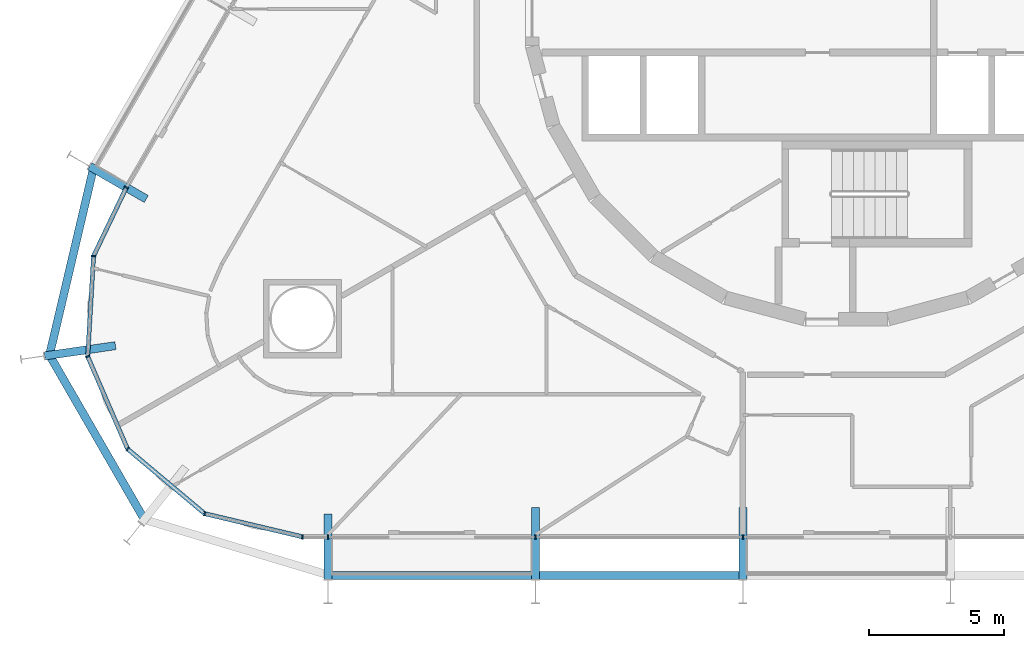
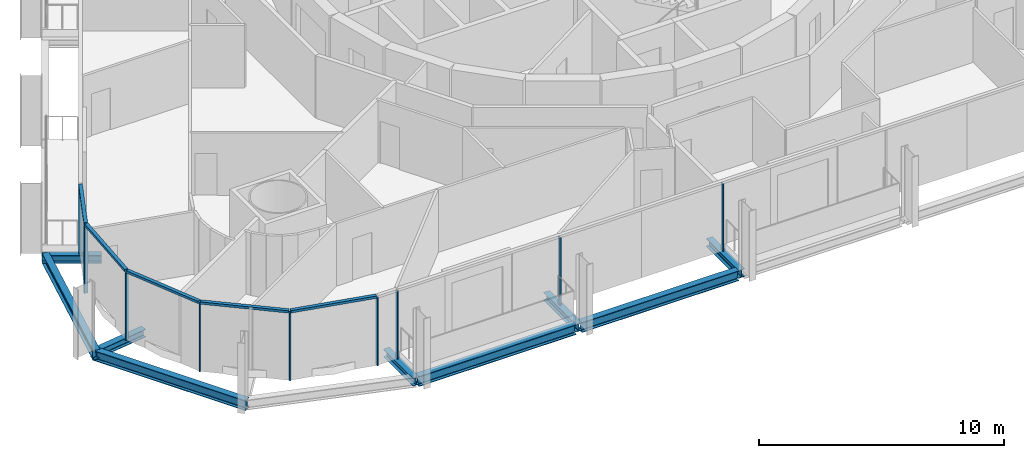
# One storey, part 3 of 21: 14 members, 9 beams, 2 elements without a shape of their own.
"""IFC4 building model written with IfcOpenShell, lengths in metres."""

from ifc_helpers import new_model, si_unit, direction, frame, origin, origin_2d, place, context, subcontext, project, spatial, rectangle, i_section, extrude, material, layer, layer_set, material_profile, profile_set, type_object, element, aggregate, save


model = new_model("IFC4")

# Units and contexts
model_context = context("Model", 3, precision=1e-05, world=origin(), true_north=direction((0.0, 1.0)))
body_context = subcontext(model_context, "Body", "Model", "MODEL_VIEW")
ifc_project = project(units=[si_unit("LENGTHUNIT", "METRE"), si_unit("AREAUNIT", "SQUARE_METRE"), si_unit("VOLUMEUNIT", "CUBIC_METRE"), si_unit("PLANEANGLEUNIT", "RADIAN"), si_unit("MASSUNIT", "GRAM", prefix="KILO")], contexts=[model_context])

# Site, building, storey
site_placement = place(None, origin())
site = spatial("IfcSite", under=ifc_project, at=site_placement, CompositionType="ELEMENT")
building_placement = place(site_placement, origin())
building = spatial("IfcBuilding", under=site, at=building_placement, Name="Spindle Arch Residences", CompositionType="ELEMENT")
storey_placement = place(building_placement, frame((0.0, 0.0, 55.89990234375)))
storey = spatial("IfcBuildingStorey", under=building, at=storey_placement, Name="L12", CompositionType="ELEMENT", Elevation=55.89990234375)

# Curtain wall, members
ifc_material_1 = material(Name="Aluminium bronze unitised frame with tinted glass", Category="aluminium")
ifc_layer_1 = layer(ifc_material_1, 0.159912109375)
ifc_layer_set_1 = layer_set([ifc_layer_1], Name="CW-D corner wall on the fillet arcs")
curtain_wall_type_1 = type_object("IfcCurtainWallType", Name="CW-D corner wall on the fillet arcs", PredefinedType="NOTDEFINED", material=ifc_layer_set_1)
curtain_wall_1_placement = place(storey_placement, origin())
curtain_wall_1 = element("IfcCurtainWall", 1, at=curtain_wall_1_placement, inside=storey, type_object=curtain_wall_type_1, Name="CW-D L12 run 5", PredefinedType="NOTDEFINED")
ifc_material_2 = material(Name="Aluminium bronze anodised mullion", Category="aluminium")
ifc_material_profile_1 = material_profile(ifc_material_2, rectangle(XDim=0.159912109375, YDim=0.06005859375, at=origin_2d()), Name="MU 60x160")
ifc_profile_set_1 = profile_set([ifc_material_profile_1], Name="Aluminium bronze anodised mullion")
member_type_1 = type_object("IfcMemberType", Name="Bronze mullion 60x160", PredefinedType="MULLION", material=ifc_profile_set_1)
member_1_placement = place(storey_placement, frame((-26.66943359375, -6.77294921875, -0.3798828125), z_axis=(0.0, 0.0, 1.0), x_axis=(0.902111889092, -0.431502189519, 0.0)))
member_1 = element("IfcMember", 2, at=member_1_placement, type_object=member_type_1, Name="CW-D mullion 00", PredefinedType="MULLION", context=body_context, shape_type="SweptSolid", body=[
    extrude(rectangle(XDim=0.159912109375, YDim=0.06005859375, at=origin_2d()), origin(), (0.0, 0.0, 1.0), 3.3798828125),
])
member_2_placement = place(storey_placement, frame((-27.884033203125, -9.3125, -0.3798828125), z_axis=(0.0, 0.0, 1.0), x_axis=(0.99830815821, -0.058144829968, 0.0)))
member_2 = element("IfcMember", 3, at=member_2_placement, type_object=member_type_1, Name="CW-D mullion 01", PredefinedType="MULLION", context=body_context, shape_type="SweptSolid", body=[
    extrude(rectangle(XDim=0.159912109375, YDim=0.06005859375, at=origin_2d()), origin(), (0.0, 0.0, 1.0), 3.3798828125),
])
member_3_placement = place(storey_placement, frame((-28.100830078125, -13.032958984375, -0.3798828125), z_axis=(0.0, 0.0, 1.0), x_axis=(0.918216106599, 0.396079766691, 0.0)))
member_3 = element("IfcMember", 4, at=member_3_placement, type_object=member_type_1, Name="CW-D mullion 02", PredefinedType="MULLION", context=body_context, shape_type="SweptSolid", body=[
    extrude(rectangle(XDim=0.159912109375, YDim=0.06005859375, at=origin_2d()), origin(), (0.0, 0.0, 1.0), 3.3798828125),
])
member_4_placement = place(storey_placement, frame((-26.624755859375, -16.454833984375, -0.3798828125), z_axis=(0.0, 0.0, 1.0), x_axis=(0.64278760716, 0.766044445239, 0.0)))
member_4 = element("IfcMember", 5, at=member_4_placement, type_object=member_type_1, Name="CW-D mullion 03", PredefinedType="MULLION", context=body_context, shape_type="SweptSolid", body=[
    extrude(rectangle(XDim=0.159912109375, YDim=0.06005859375, at=origin_2d()), origin(), (0.0, 0.0, 1.0), 3.3798828125),
])
member_5_placement = place(storey_placement, frame((-23.769775390625, -18.850341796875, -0.3798828125), z_axis=(0.0, 0.0, 1.0), x_axis=(0.230615868852, 0.973044871028, 0.0)))
member_5 = element("IfcMember", 6, at=member_5_placement, type_object=member_type_1, Name="CW-D mullion 04", PredefinedType="MULLION", context=body_context, shape_type="SweptSolid", body=[
    extrude(rectangle(XDim=0.159912109375, YDim=0.06005859375, at=origin_2d()), origin(), (0.0, 0.0, 1.0), 3.3798828125),
])
member_6_placement = place(storey_placement, frame((-20.1435546875, -19.7099609375, -0.3798828125), z_axis=(0.0, 0.0, 1.0), x_axis=(0.0, 1.0, 0.0)))
member_6 = element("IfcMember", 7, at=member_6_placement, type_object=member_type_1, Name="CW-D mullion 05", PredefinedType="MULLION", context=body_context, shape_type="SweptSolid", body=[
    extrude(rectangle(XDim=0.159912109375, YDim=0.06005859375, at=origin_2d()), origin(), (0.0, 0.0, 1.0), 3.3798828125),
])

ifc_material_3 = material(Name="Aluminium bronze unitised frame with tinted glass", Category="aluminium")
ifc_layer_2 = layer(ifc_material_3, 0.159912109375)
ifc_layer_set_2 = layer_set([ifc_layer_2], Name="CW-C typical residential unitised wall")
curtain_wall_type_2 = type_object("IfcCurtainWallType", Name="CW-C typical residential unitised wall", PredefinedType="NOTDEFINED", material=ifc_layer_set_2)
curtain_wall_2_placement = place(storey_placement, origin())
curtain_wall_2 = element("IfcCurtainWall", 8, at=curtain_wall_2_placement, inside=storey, type_object=curtain_wall_type_2, Name="CW-C L12 run 6", PredefinedType="NOTDEFINED")
member_7_placement = place(storey_placement, frame((-19.2001953125, -19.7099609375, -0.3798828125), z_axis=(0.0, 0.0, 1.0), x_axis=(0.0, 1.0, 0.0)))
member_7 = element("IfcMember", 9, at=member_7_placement, type_object=member_type_1, Name="CW-C mullion 21", PredefinedType="MULLION", context=body_context, shape_type="SweptSolid", body=[
    extrude(rectangle(XDim=0.159912109375, YDim=0.06005859375, at=origin_2d()), origin(), (0.0, 0.0, 1.0), 3.3798828125),
])
member_8_placement = place(storey_placement, frame((-11.52001953125, -19.7099609375, -0.3798828125), z_axis=(0.0, 0.0, 1.0), x_axis=(0.0, 1.0, 0.0)))
member_8 = element("IfcMember", 10, at=member_8_placement, type_object=member_type_1, Name="CW-C mullion 22", PredefinedType="MULLION", context=body_context, shape_type="SweptSolid", body=[
    extrude(rectangle(XDim=0.159912109375, YDim=0.06005859375, at=origin_2d()), origin(), (0.0, 0.0, 1.0), 3.3798828125),
])
member_9_placement = place(storey_placement, frame((-3.840087890625, -19.7099609375, -0.3798828125), z_axis=(0.0, 0.0, 1.0), x_axis=(0.0, 1.0, 0.0)))
member_9 = element("IfcMember", 11, at=member_9_placement, type_object=member_type_1, Name="CW-C mullion 23", PredefinedType="MULLION", context=body_context, shape_type="SweptSolid", body=[
    extrude(rectangle(XDim=0.159912109375, YDim=0.06005859375, at=origin_2d()), origin(), (0.0, 0.0, 1.0), 3.3798828125),
])
aggregate(curtain_wall_2, [member_7, member_8, member_9])

# Member
ifc_material_4 = material(Name="Aluminium bronze anodised transom", Category="aluminium")
ifc_material_profile_2 = material_profile(ifc_material_4, rectangle(XDim=0.159912109375, YDim=0.1201171875, at=origin_2d()), Name="TR 120x160")
ifc_profile_set_2 = profile_set([ifc_material_profile_2], Name="Aluminium bronze anodised transom")
member_type_2 = type_object("IfcMemberType", Name="Bronze transom 120x160", PredefinedType="USERDEFINED", material=ifc_profile_set_2)
member_10_placement = place(storey_placement, frame((-26.682373046875, -6.800048828125, 3.06005859375), z_axis=(-0.43147744699, -0.902123723631, 0.0), x_axis=(0.902123723631, -0.43147744699, 0.0)))
member_10 = element("IfcMember", 12, at=member_10_placement, type_object=member_type_2, Name="CW-D transom 00", ObjectType="TRANSOM", PredefinedType="USERDEFINED", context=body_context, shape_type="SweptSolid", body=[
    extrude(rectangle(XDim=0.159912109375, YDim=0.1201171875, at=origin_2d()), origin(), (0.0, 0.0, 1.0), 2.7548828125),
])

member_11_placement = place(storey_placement, frame((-27.885986328125, -9.342529296875, 3.06005859375), z_axis=(-0.058128716156, -0.998309096602, 0.0), x_axis=(0.998309096602, -0.058128716156, 0.0)))
member_11 = element("IfcMember", 13, at=member_11_placement, type_object=member_type_2, Name="CW-D transom 01", ObjectType="TRANSOM", PredefinedType="USERDEFINED", context=body_context, shape_type="SweptSolid", body=[
    extrude(rectangle(XDim=0.159912109375, YDim=0.1201171875, at=origin_2d()), origin(), (0.0, 0.0, 1.0), 3.66650390625),
])

member_12_placement = place(storey_placement, frame((-28.0888671875, -13.060546875, 3.06005859375), z_axis=(0.39603167212, -0.918236851078, 0.0), x_axis=(0.918236851078, 0.39603167212, 0.0)))
member_12 = element("IfcMember", 14, at=member_12_placement, type_object=member_type_2, Name="CW-D transom 02", ObjectType="TRANSOM", PredefinedType="USERDEFINED", context=body_context, shape_type="SweptSolid", body=[
    extrude(rectangle(XDim=0.159912109375, YDim=0.1201171875, at=origin_2d()), origin(), (0.0, 0.0, 1.0), 3.666748046875),
])

member_13_placement = place(storey_placement, frame((-26.601806640625, -16.47412109375, 3.06005859375), z_axis=(0.766006453075, -0.642832881741, 0.0), x_axis=(0.642832881741, 0.766006453075, 0.0)))
member_13 = element("IfcMember", 15, at=member_13_placement, type_object=member_type_2, Name="CW-D transom 03", ObjectType="TRANSOM", PredefinedType="USERDEFINED", context=body_context, shape_type="SweptSolid", body=[
    extrude(rectangle(XDim=0.159912109375, YDim=0.1201171875, at=origin_2d()), origin(), (0.0, 0.0, 1.0), 3.666748046875),
])

member_14_placement = place(storey_placement, frame((-23.74072265625, -18.857421875, 3.06005859375), z_axis=(0.973053560164, -0.230579203425, 0.0), x_axis=(0.230579203425, 0.973053560164, 0.0)))
member_14 = element("IfcMember", 16, at=member_14_placement, type_object=member_type_2, Name="CW-D transom 04", ObjectType="TRANSOM", PredefinedType="USERDEFINED", context=body_context, shape_type="SweptSolid", body=[
    extrude(rectangle(XDim=0.159912109375, YDim=0.1201171875, at=origin_2d()), origin(), (0.0, 0.0, 1.0), 3.666748046875),
])

aggregate(curtain_wall_1, [member_1, member_10, member_2, member_11, member_3, member_12, member_4, member_13, member_5, member_14, member_6])

# Beams
ifc_material_5 = material(Name="Steel S460ML, intumescent coating R 120", Category="steel")
ifc_material_profile_3 = material_profile(ifc_material_5, i_section(OverallWidth=0.300048828125, OverallDepth=0.5, WebThickness=0.014404296875, FlangeThickness=0.028076171875, FilletRadius=0.027099609375, at=origin_2d()), Name="HEB 500")
ifc_profile_set_3 = profile_set([ifc_material_profile_3], Name="Steel S460ML, intumescent coating R 120")
beam_type_1 = type_object("IfcBeamType", Name="Exoskeleton edge beam HEB 500", PredefinedType="BEAM", material=ifc_profile_set_3)
beam_1_placement = place(storey_placement, frame((-27.8720703125, -6.00048828125, -0.6298828125), z_axis=(-0.229185730541, -0.973382710406, 0.0), x_axis=(0.973382710406, -0.229185730541, 0.0)))
element("IfcBeam", 17, at=beam_1_placement, inside=storey, type_object=beam_type_1, Name="Exoskeleton edge beam 19", PredefinedType="BEAM", context=body_context, shape_type="SweptSolid", body=[
    extrude(i_section(OverallWidth=0.300048828125, OverallDepth=0.5, WebThickness=0.014404296875, FlangeThickness=0.028076171875, FilletRadius=0.027099609375, at=origin_2d()), origin(), (0.0, 0.0, 1.0), 7.25),
])
beam_2_placement = place(storey_placement, frame((-29.56640625, -12.892333984375, -0.6298828125), z_axis=(0.499999897272, -0.866025463095, 0.0), x_axis=(0.866025463095, 0.499999897272, 0.0)))
element("IfcBeam", 18, at=beam_2_placement, inside=storey, type_object=beam_type_1, Name="Exoskeleton edge beam 20", PredefinedType="BEAM", context=body_context, shape_type="SweptSolid", body=[
    extrude(i_section(OverallWidth=0.300048828125, OverallDepth=0.5, WebThickness=0.014404296875, FlangeThickness=0.028076171875, FilletRadius=0.027099609375, at=origin_2d()), origin(), (0.0, 0.0, 1.0), 7.236328125),
])
for number, where, z_axis, x_axis, name in (
    (19, (-19.0703125, -21.142822265625, -0.6298828125), (1.0, 0.0, 0.0), (0.0, 1.0, 0.0), "Exoskeleton edge beam 22"),
    (20, (-11.39013671875, -21.142822265625, -0.6298828125), (1.0, 0.0, 0.0), (0.0, 1.0, 0.0), "Exoskeleton edge beam 23"),
):
    element("IfcBeam", number, at=place(storey_placement, frame(where, z_axis=z_axis, x_axis=x_axis)), inside=storey, type_object=beam_type_1, Name=name, PredefinedType="BEAM", context=body_context, shape_type="SweptSolid", body=[
        extrude(i_section(OverallWidth=0.300048828125, OverallDepth=0.5, WebThickness=0.014404296875, FlangeThickness=0.028076171875, FilletRadius=0.027099609375, at=origin_2d()), origin(), (0.0, 0.0, 1.0), 7.420166015625),
    ])
ifc_material_6 = material(Name="Steel S460ML, intumescent coating R 120", Category="steel")
ifc_material_profile_4 = material_profile(ifc_material_6, i_section(OverallWidth=0.300048828125, OverallDepth=0.389892578125, WebThickness=0.010986328125, FlangeThickness=0.01904296875, FilletRadius=0.027099609375, at=origin_2d()), Name="HEA 400")
ifc_profile_set_4 = profile_set([ifc_material_profile_4], Name="Steel S460ML, intumescent coating R 120")
beam_type_2 = type_object("IfcBeamType", Name="Floor outrigger HEA 400", PredefinedType="BEAM", material=ifc_profile_set_4)
beam_3_placement = place(storey_placement, frame((-28.029052734375, -5.98779296875, -0.574951171875), z_axis=(0.866002732682, -0.500039265445, 0.0), x_axis=(0.500039265445, 0.866002732682, 0.0)))
element("IfcBeam", 21, at=beam_3_placement, inside=storey, type_object=beam_type_2, Name="Floor outrigger 19", PredefinedType="BEAM", context=body_context, shape_type="SweptSolid", body=[
    extrude(i_section(OverallWidth=0.300048828125, OverallDepth=0.389892578125, WebThickness=0.010986328125, FlangeThickness=0.01904296875, FilletRadius=0.027099609375, at=origin_2d()), origin(), (0.0, 0.0, 1.0), 2.423583984375),
])
beam_4_placement = place(storey_placement, frame((-29.694580078125, -13.009033203125, -0.574951171875), z_axis=(0.989738348309, 0.142891573883, 0.0), x_axis=(-0.142891573883, 0.989738348309, 0.0)))
element("IfcBeam", 22, at=beam_4_placement, inside=storey, type_object=beam_type_2, Name="Floor outrigger 20", PredefinedType="BEAM", context=body_context, shape_type="SweptSolid", body=[
    extrude(i_section(OverallWidth=0.300048828125, OverallDepth=0.389892578125, WebThickness=0.010986328125, FlangeThickness=0.01904296875, FilletRadius=0.027099609375, at=origin_2d()), origin(), (0.0, 0.0, 1.0), 2.64990234375),
])
beam_5_placement = place(storey_placement, frame((-19.2001953125, -21.27978515625, -0.574951171875), z_axis=(0.0, 1.0, 0.0), x_axis=(-1.0, 0.0, 0.0)))
element("IfcBeam", 23, at=beam_5_placement, inside=storey, type_object=beam_type_2, Name="Floor outrigger 22", PredefinedType="BEAM", context=body_context, shape_type="SweptSolid", body=[
    extrude(i_section(OverallWidth=0.300048828125, OverallDepth=0.389892578125, WebThickness=0.010986328125, FlangeThickness=0.01904296875, FilletRadius=0.027099609375, at=origin_2d()), origin(), (0.0, 0.0, 1.0), 2.42333984375),
])
for number, where, z_axis, x_axis, name in (
    (24, (-11.52001953125, -21.27978515625, -0.574951171875), (0.0, 1.0, 0.0), (-1.0, 0.0, 0.0), "Floor outrigger 23"),
    (25, (-3.840087890625, -21.27978515625, -0.574951171875), (0.0, 1.0, 0.0), (-1.0, 0.0, 0.0), "Floor outrigger 24"),
):
    element("IfcBeam", number, at=place(storey_placement, frame(where, z_axis=z_axis, x_axis=x_axis)), inside=storey, type_object=beam_type_2, Name=name, PredefinedType="BEAM", context=body_context, shape_type="SweptSolid", body=[
        extrude(i_section(OverallWidth=0.300048828125, OverallDepth=0.389892578125, WebThickness=0.010986328125, FlangeThickness=0.01904296875, FilletRadius=0.027099609375, at=origin_2d()), origin(), (0.0, 0.0, 1.0), 2.64990234375),
    ])

save(model, "model.ifc")
